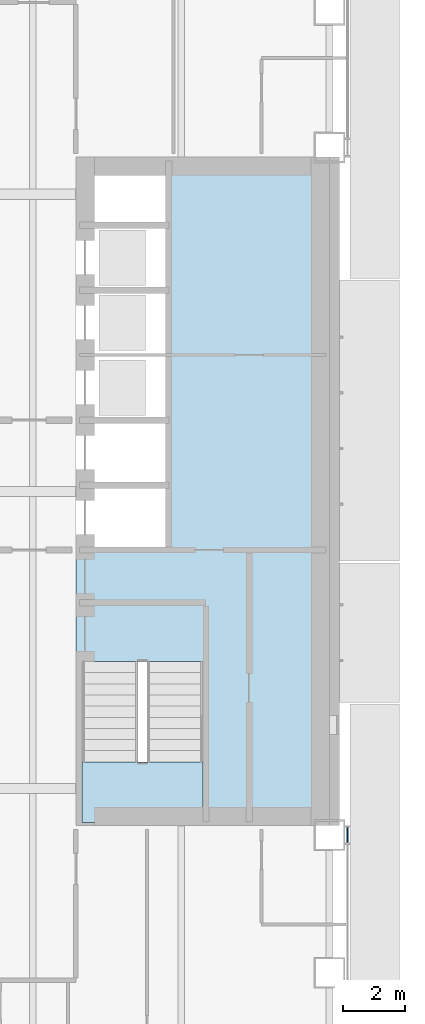
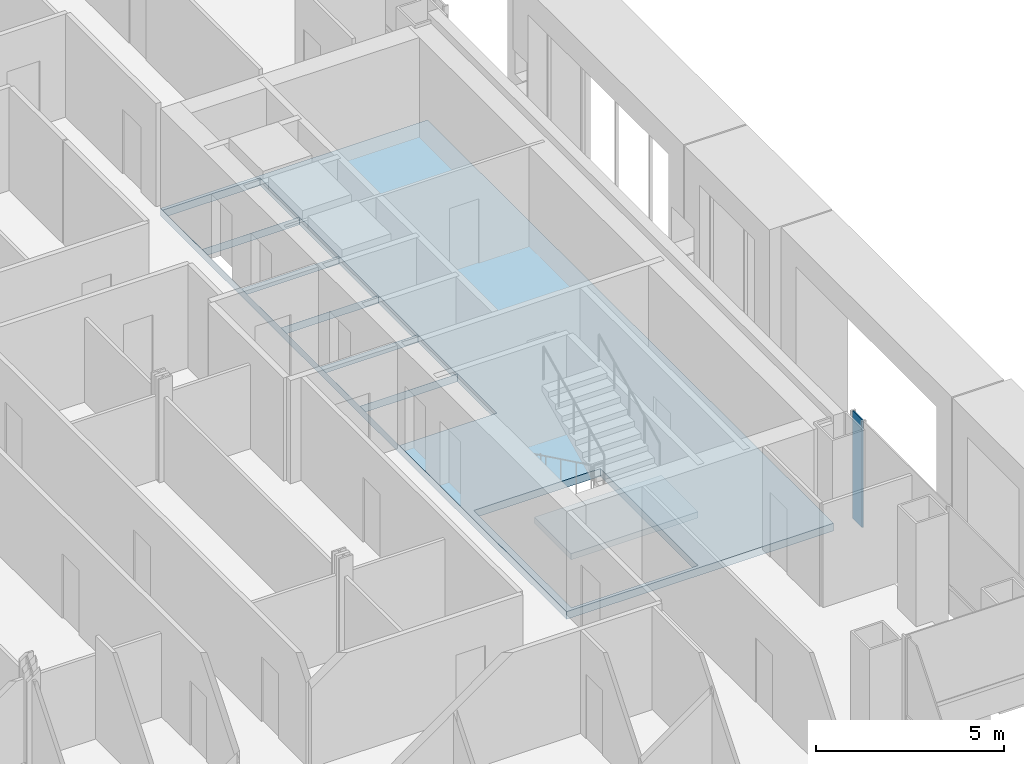
# One storey, part 12 of 25: 2 slabs, 1 plate, 2 elements without a shape of their own.
"""IFC4 building model written with IfcOpenShell, lengths in metres."""

from ifc_helpers import new_model, si_unit, direction, frame, origin, origin_2d, place, context, subcontext, project, spatial, polyline, rectangle, outline, extrude, material, layer, layer_set, type_object, element, aggregate, save


model = new_model("IFC4")

# Units and contexts
model_context = context("Model", 3, precision=1e-05, world=origin(), true_north=direction((0.0, 1.0)))
body_context = subcontext(model_context, "Body", "Model", "MODEL_VIEW")
ifc_project = project(units=[si_unit("LENGTHUNIT", "METRE"), si_unit("AREAUNIT", "SQUARE_METRE"), si_unit("VOLUMEUNIT", "CUBIC_METRE"), si_unit("PLANEANGLEUNIT", "RADIAN"), si_unit("MASSUNIT", "GRAM", prefix="KILO")], contexts=[model_context])

# Site, building, storey
site_placement = place(None, origin())
site = spatial("IfcSite", under=ifc_project, at=site_placement, CompositionType="ELEMENT")
building_placement = place(site_placement, origin())
building = spatial("IfcBuilding", under=site, at=building_placement, Name="Cobrizo Arcos Hotel Tower", CompositionType="ELEMENT")
storey_placement = place(building_placement, frame((0.0, 0.0, 53.0)))
storey = spatial("IfcBuildingStorey", under=building, at=storey_placement, Name="L11", CompositionType="ELEMENT", Elevation=53.0)

# Curtain wall, plate
ifc_material_1 = material(Name="Aluminium 6063-T6 anodised bronze", Category="aluminium")
curtain_wall_type = type_object("IfcCurtainWallType", Name="CW-A guest facade", PredefinedType="NOTDEFINED", material=ifc_material_1)
curtain_wall_placement = place(storey_placement, origin())
curtain_wall = element("IfcCurtainWall", 1, at=curtain_wall_placement, inside=storey, type_object=curtain_wall_type, Name="CW-A L11 E face", PredefinedType="NOTDEFINED")
ifc_material_2 = material(Name="Aluminium composite panel pale metal", Category="aluminium")
ifc_layer_1 = layer(ifc_material_2, 0.0400390625)
ifc_layer_set_1 = layer_set([ifc_layer_1], Name="CW-A spandrel panel")
plate_type = type_object("IfcPlateType", Name="CW-A spandrel panel", PredefinedType="CURTAIN_PANEL", material=ifc_layer_set_1)
plate_placement = place(storey_placement, frame((24.574951171875, -11.109375, 0.0), z_axis=(0.0, 0.0, 1.0), x_axis=(0.0, 1.0, 0.0)))
plate = element("IfcPlate", 2, at=plate_placement, type_object=plate_type, Name="CW-A spandrel panel 526", PredefinedType="CURTAIN_PANEL", context=body_context, shape_type="SweptSolid", body=[
    extrude(rectangle(XDim=0.498779296875, YDim=0.0400390625, at=origin_2d()), origin(), (0.0, 0.0, 1.0), 3.5),
])
aggregate(curtain_wall, [plate])

# Slab
ifc_material_3 = material(Name="Concrete f'c 60 MPa", Category="concrete")
ifc_layer_2 = layer(ifc_material_3, 0.25)
ifc_layer_set_2 = layer_set([ifc_layer_2], Name="RC core floor slab 250 f'c 60")
slab_type_1 = type_object("IfcSlabType", Name="RC core floor slab 250 f'c 60", PredefinedType="FLOOR", material=ifc_layer_set_2)
slab_1_placement = place(storey_placement, frame((0.0, 0.0, -0.25)))
element("IfcSlab", 3, at=slab_1_placement, inside=storey, type_object=slab_type_1, Name="Core floor slab CS3, east core, L11", PredefinedType="FLOOR", context=body_context, shape_type="SweptSolid", body=[
    extrude(outline(polyline([(15.800048828125, 10.800048828125), (24.0, 10.800048828125), (24.0, -10.800048828125), (15.800048828125, -10.800048828125), (15.800048828125, 10.800048828125)]), holes=[polyline([(19.89794921875, -10.697998046875), (19.89794921875, -5.501953125), (16.001953125, -5.501953125), (16.001953125, -10.697998046875), (19.89794921875, -10.697998046875)]), polyline([(15.802001953125, 0.197998046875), (15.802001953125, -1.89794921875), (18.798095703125, -1.89794921875), (18.798095703125, 0.197998046875), (15.802001953125, 0.197998046875)]), polyline([(18.798095703125, 2.298095703125), (15.802001953125, 2.298095703125), (15.802001953125, 0.201904296875), (18.798095703125, 0.201904296875), (18.798095703125, 2.298095703125)]), polyline([(18.798095703125, 4.39794921875), (15.802001953125, 4.39794921875), (15.802001953125, 2.302001953125), (18.798095703125, 2.302001953125), (18.798095703125, 4.39794921875)]), polyline([(15.802001953125, 6.498046875), (15.802001953125, 4.402099609375), (18.798095703125, 4.402099609375), (18.798095703125, 6.498046875), (15.802001953125, 6.498046875)]), polyline([(18.798095703125, 8.597900390625), (15.802001953125, 8.597900390625), (15.802001953125, 6.501953125), (18.798095703125, 6.501953125), (18.798095703125, 8.597900390625)]), polyline([(18.798095703125, 10.697998046875), (15.802001953125, 10.697998046875), (15.802001953125, 8.60205078125), (18.798095703125, 8.60205078125), (18.798095703125, 10.697998046875)])]), origin(), (0.0, 0.0, 1.0), 0.25),
])

# Stair, slab
ifc_material_4 = material(Name="Concrete f'c 40 MPa", Category="concrete")
stair_type = type_object("IfcStairType", Name="Exit stair", PredefinedType="HALF_TURN_STAIR", material=ifc_material_4)
stair_placement = place(storey_placement, origin())
stair = element("IfcStair", 4, at=stair_placement, inside=storey, type_object=stair_type, Name="L11 Exit stair ST-E", PredefinedType="HALF_TURN_STAIR")
ifc_layer_3 = layer(ifc_material_4, 0.199951171875)
ifc_layer_set_3 = layer_set([ifc_layer_3], Name="Stair landing")
slab_type_2 = type_object("IfcSlabType", Name="Stair landing", PredefinedType="LANDING", material=ifc_layer_set_3)
slab_2_placement = place(storey_placement, frame((0.0, 0.0, 1.550048828125)))
slab_2 = element("IfcSlab", 5, at=slab_2_placement, type_object=slab_type_2, Name="ST-E landing 1", PredefinedType="LANDING", context=body_context, shape_type="SweptSolid", body=[
    extrude(outline(polyline([(16.0, -8.739990234375), (16.0, -10.699951171875), (19.89990234375, -10.699951171875), (19.89990234375, -8.739990234375), (16.0, -8.739990234375)])), origin(), (0.0, 0.0, 1.0), 0.199951171875),
])
aggregate(stair, [slab_2])

save(model, "model.ifc")
